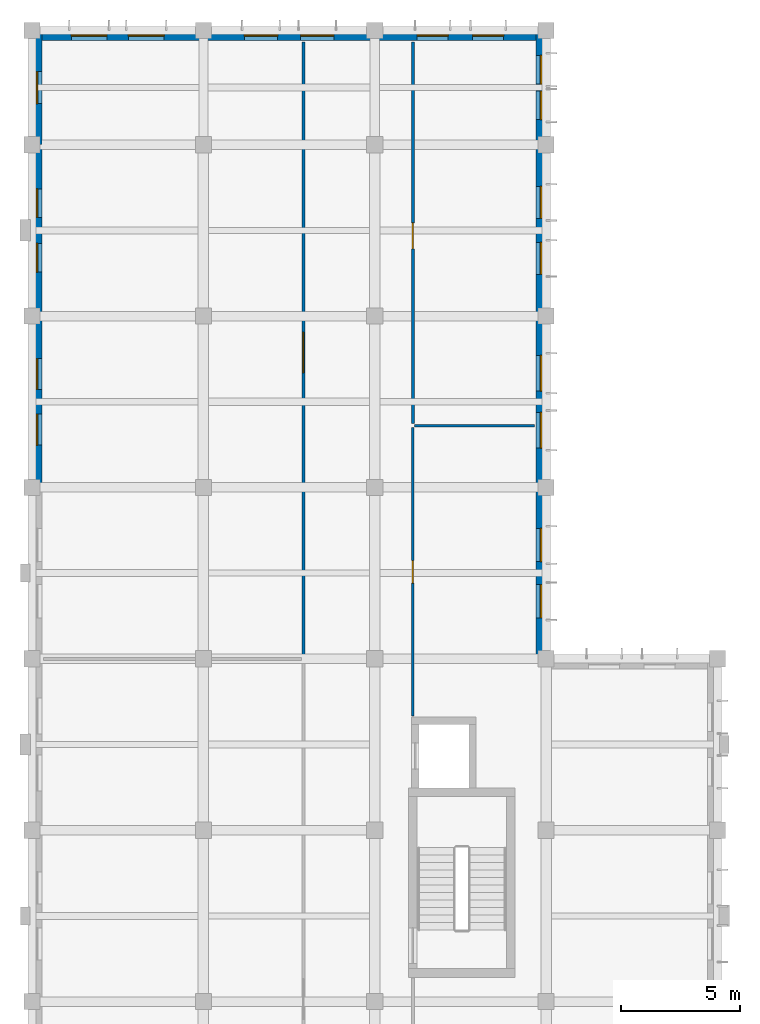
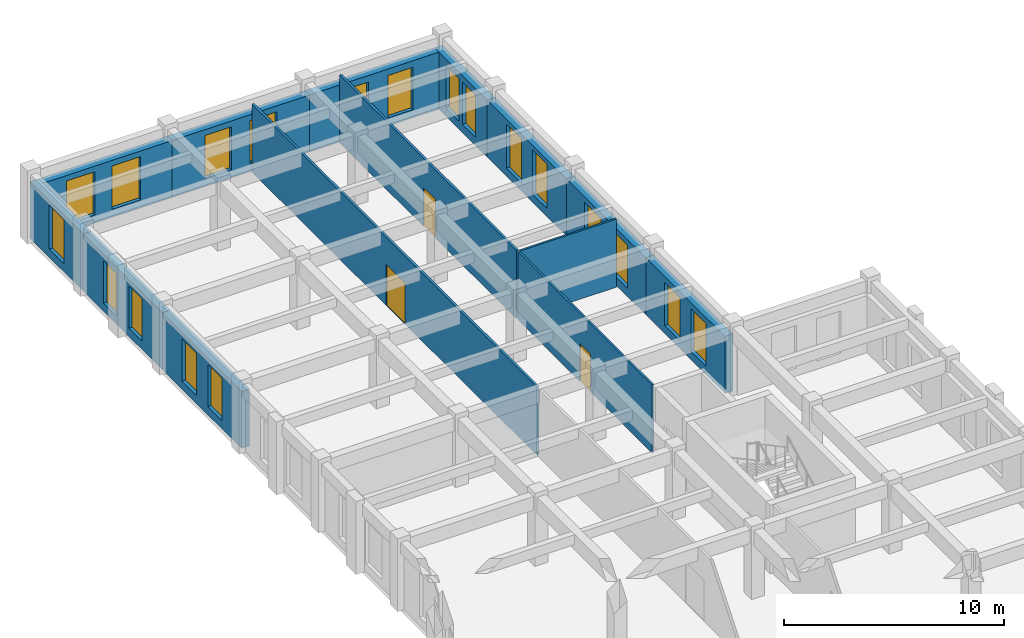
# One storey, part 47 of 88: 19 windows, 14 walls, 3 doors, 22 openings.
"""IFC4 building model written with IfcOpenShell, lengths in metres."""

from ifc_helpers import new_model, si_unit, direction, frame, frame_2d, origin, place, context, subcontext, project, spatial, rectangle, extrude, material, layer, layer_set, type_object, element, fill, save


model = new_model("IFC4")

# Units and contexts
model_context = context("Model", 3, precision=1e-05, world=origin(), true_north=direction((0.0, 1.0)))
body_context = subcontext(model_context, "Body", "Model", "MODEL_VIEW")
ifc_project = project(units=[si_unit("LENGTHUNIT", "METRE"), si_unit("AREAUNIT", "SQUARE_METRE"), si_unit("VOLUMEUNIT", "CUBIC_METRE"), si_unit("PLANEANGLEUNIT", "RADIAN"), si_unit("MASSUNIT", "GRAM", prefix="KILO")], contexts=[model_context])

# Site, building, storey
site_placement = place(None, origin())
site = spatial("IfcSite", under=ifc_project, at=site_placement, CompositionType="ELEMENT")
building_placement = place(site_placement, origin())
building = spatial("IfcBuilding", under=site, at=building_placement, Name="Alvorim Cloister Faculty of Sciences", CompositionType="ELEMENT")
storey_placement = place(building_placement, frame((0.0, 0.0, 4.5)))
storey = spatial("IfcBuildingStorey", under=building, at=storey_placement, Name="L01", CompositionType="ELEMENT", Elevation=4.5)

# Wall, openings, windows
ifc_material_1 = material(Name="Maua Grey Granite Stone", Category="masonry")
ifc_layer_1 = layer(ifc_material_1, 0.419921875)
ifc_layer_set_1 = layer_set([ifc_layer_1], Name="Maua Grey Granite Stone")
wall_type_1 = type_object("IfcWallType", Name="WL-EXT-GRN-420", PredefinedType="SOLIDWALL", material=ifc_layer_set_1)
wall_1_placement = place(storey_placement, frame((0.2099609375, 92.39990234375, 0.0), z_axis=(0.0, 0.0, 1.0), x_axis=(0.0, 1.0, 0.0)))
wall_1 = element("IfcWall", 1, at=wall_1_placement, inside=storey, type_object=wall_type_1, Name="L01 Exterior Wall WL-0112", PredefinedType="SOLIDWALL", context=body_context, shape_type="SweptSolid", body=[
    extrude(rectangle(XDim=7.2001953125, YDim=0.419921875, at=frame_2d((3.60009765625, 0.0))), origin(), (0.0, 0.0, 1.0), 3.159912109375),
])
opening_1_placement = place(wall_1_placement, frame((1.783203125, 0.0, 0.449951171875)))
opening_1 = element("IfcOpeningElement", 2, at=opening_1_placement, cuts=wall_1, Name="Opening W-21", PredefinedType="OPENING", context=body_context, shape_type="SweptSolid", body=[
    extrude(rectangle(XDim=1.300048828125, YDim=2.35009765625, at=frame_2d((0.64990234375, 1.175048828125))), frame((0.0, 0.221923828125, 0.0), z_axis=(0.0, -1.0, 0.0), x_axis=(1.0, 0.0, 0.0)), (0.0, 0.0, 1.0), 0.44384765625),
])
opening_2_placement = place(wall_1_placement, frame((4.11669921875, 0.0, 0.449951171875)))
opening_2 = element("IfcOpeningElement", 3, at=opening_2_placement, cuts=wall_1, Name="Opening W-21", PredefinedType="OPENING", context=body_context, shape_type="SweptSolid", body=[
    extrude(rectangle(XDim=1.300048828125, YDim=2.35009765625, at=frame_2d((0.64990234375, 1.175048828125))), frame((0.0, 0.221923828125, 0.0), z_axis=(0.0, -1.0, 0.0), x_axis=(1.0, 0.0, 0.0)), (0.0, 0.0, 1.0), 0.44384765625),
])
ifc_material_2 = material(Name="Double Low-E Laminated Glass", Category="glass")
window_type_1 = type_object("IfcWindowType", Name="WN-OFF-1300x2350", PartitioningType="SINGLE_PANEL", PredefinedType="WINDOW", material=ifc_material_2)
window_1_placement = place(opening_1_placement, origin())
window_1 = element("IfcWindow", 4, at=window_1_placement, inside=storey, type_object=window_type_1, Name="L01 Gothic Lancet Window WN-0140", OverallHeight=2.35009765625, OverallWidth=1.300048828125, PartitioningType="SINGLE_PANEL", PredefinedType="WINDOW", context=body_context, shape_type="SweptSolid", body=[
    extrude(rectangle(XDim=1.300048828125, YDim=2.35009765625, at=frame_2d((0.64990234375, 1.175048828125))), frame((0.0, 0.030029296875, 0.0), z_axis=(0.0, -1.0, 0.0), x_axis=(1.0, 0.0, 0.0)), (0.0, 0.0, 1.0), 0.06005859375),
])
fill(opening_1, window_1)
window_2_placement = place(opening_2_placement, origin())
window_2 = element("IfcWindow", 5, at=window_2_placement, inside=storey, type_object=window_type_1, Name="L01 Gothic Lancet Window WN-0141", OverallHeight=2.35009765625, OverallWidth=1.300048828125, PartitioningType="SINGLE_PANEL", PredefinedType="WINDOW", context=body_context, shape_type="SweptSolid", body=[
    extrude(rectangle(XDim=1.300048828125, YDim=2.35009765625, at=frame_2d((0.64990234375, 1.175048828125))), frame((0.0, 0.030029296875, 0.0), z_axis=(0.0, -1.0, 0.0), x_axis=(1.0, 0.0, 0.0)), (0.0, 0.0, 1.0), 0.06005859375),
])
fill(opening_2, window_2)

wall_2_placement = place(storey_placement, frame((0.2099609375, 99.60009765625, 0.0), z_axis=(0.0, 0.0, 1.0), x_axis=(0.0, 1.0, 0.0)))
wall_2 = element("IfcWall", 6, at=wall_2_placement, inside=storey, type_object=wall_type_1, Name="L01 Exterior Wall WL-0113", PredefinedType="SOLIDWALL", context=body_context, shape_type="SweptSolid", body=[
    extrude(rectangle(XDim=7.199951171875, YDim=0.419921875, at=frame_2d((3.60009765625, 0.0))), origin(), (0.0, 0.0, 1.0), 3.159912109375),
])
opening_3_placement = place(wall_2_placement, frame((1.85009765625, 0.0, 0.449951171875)))
opening_3 = element("IfcOpeningElement", 7, at=opening_3_placement, cuts=wall_2, Name="Opening W-22", PredefinedType="OPENING", context=body_context, shape_type="SweptSolid", body=[
    extrude(rectangle(XDim=1.199951171875, YDim=2.35009765625, at=frame_2d((0.60009765625, 1.175048828125))), frame((0.0, 0.221923828125, 0.0), z_axis=(0.0, -1.0, 0.0), x_axis=(1.0, 0.0, 0.0)), (0.0, 0.0, 1.0), 0.44384765625),
])
opening_4_placement = place(wall_2_placement, frame((4.14990234375, 0.0, 0.449951171875)))
opening_4 = element("IfcOpeningElement", 8, at=opening_4_placement, cuts=wall_2, Name="Opening W-22", PredefinedType="OPENING", context=body_context, shape_type="SweptSolid", body=[
    extrude(rectangle(XDim=1.199951171875, YDim=2.35009765625, at=frame_2d((0.60009765625, 1.175048828125))), frame((0.0, 0.221923828125, 0.0), z_axis=(0.0, -1.0, 0.0), x_axis=(1.0, 0.0, 0.0)), (0.0, 0.0, 1.0), 0.44384765625),
])
window_type_2 = type_object("IfcWindowType", Name="WN-OFF-1200x2350", PartitioningType="SINGLE_PANEL", PredefinedType="WINDOW", material=ifc_material_2)
window_3_placement = place(opening_3_placement, origin())
window_3 = element("IfcWindow", 9, at=window_3_placement, inside=storey, type_object=window_type_2, Name="L01 Gothic Lancet Window WN-0142", OverallHeight=2.35009765625, OverallWidth=1.199951171875, PartitioningType="SINGLE_PANEL", PredefinedType="WINDOW", context=body_context, shape_type="SweptSolid", body=[
    extrude(rectangle(XDim=1.199951171875, YDim=2.35009765625, at=frame_2d((0.60009765625, 1.175048828125))), frame((0.0, 0.030029296875, 0.0), z_axis=(0.0, -1.0, 0.0), x_axis=(1.0, 0.0, 0.0)), (0.0, 0.0, 1.0), 0.06005859375),
])
fill(opening_3, window_3)
window_4_placement = place(opening_4_placement, origin())
window_4 = element("IfcWindow", 10, at=window_4_placement, inside=storey, type_object=window_type_2, Name="L01 Gothic Lancet Window WN-0143", OverallHeight=2.35009765625, OverallWidth=1.199951171875, PartitioningType="SINGLE_PANEL", PredefinedType="WINDOW", context=body_context, shape_type="SweptSolid", body=[
    extrude(rectangle(XDim=1.199951171875, YDim=2.35009765625, at=frame_2d((0.60009765625, 1.175048828125))), frame((0.0, 0.030029296875, 0.0), z_axis=(0.0, -1.0, 0.0), x_axis=(1.0, 0.0, 0.0)), (0.0, 0.0, 1.0), 0.06005859375),
])
fill(opening_4, window_4)

# Wall, opening, window
wall_3_placement = place(storey_placement, frame((0.2099609375, 106.800048828125, 0.0), z_axis=(0.0, 0.0, 1.0), x_axis=(0.0, 1.0, 0.0)))
wall_3 = element("IfcWall", 11, at=wall_3_placement, inside=storey, type_object=wall_type_1, Name="L01 Exterior Wall WL-0114", PredefinedType="SOLIDWALL", context=body_context, shape_type="SweptSolid", body=[
    extrude(rectangle(XDim=4.800048828125, YDim=0.419921875, at=frame_2d((2.39990234375, 0.0))), origin(), (0.0, 0.0, 1.0), 3.159912109375),
])
opening_5_placement = place(wall_3_placement, frame((1.72509765625, 0.0, 0.449951171875)))
opening_5 = element("IfcOpeningElement", 12, at=opening_5_placement, cuts=wall_3, Name="Opening W-18", PredefinedType="OPENING", context=body_context, shape_type="SweptSolid", body=[
    extrude(rectangle(XDim=1.35009765625, YDim=2.449951171875, at=frame_2d((0.675048828125, 1.22509765625))), frame((0.0, 0.221923828125, 0.0), z_axis=(0.0, -1.0, 0.0), x_axis=(1.0, 0.0, 0.0)), (0.0, 0.0, 1.0), 0.44384765625),
])
window_type_3 = type_object("IfcWindowType", Name="WN-LAB-1350x2450", PartitioningType="SINGLE_PANEL", PredefinedType="WINDOW", material=ifc_material_2)
window_5_placement = place(opening_5_placement, origin())
window_5 = element("IfcWindow", 13, at=window_5_placement, inside=storey, type_object=window_type_3, Name="L01 Gothic Lancet Window WN-0144", OverallHeight=2.449951171875, OverallWidth=1.35009765625, PartitioningType="SINGLE_PANEL", PredefinedType="WINDOW", context=body_context, shape_type="SweptSolid", body=[
    extrude(rectangle(XDim=1.35009765625, YDim=2.449951171875, at=frame_2d((0.675048828125, 1.22509765625))), frame((0.0, 0.030029296875, 0.0), z_axis=(0.0, -1.0, 0.0), x_axis=(1.0, 0.0, 0.0)), (0.0, 0.0, 1.0), 0.06005859375),
])
fill(opening_5, window_5)

# Wall, openings, windows
wall_4_placement = place(storey_placement, frame((0.0, 111.389892578125, 0.0), z_axis=(0.0, 0.0, 1.0), x_axis=(1.0, 0.0, 0.0)))
wall_4 = element("IfcWall", 14, at=wall_4_placement, inside=storey, type_object=wall_type_1, Name="L01 Exterior Wall WL-0115", PredefinedType="SOLIDWALL", context=body_context, shape_type="SweptSolid", body=[
    extrude(rectangle(XDim=7.199951171875, YDim=0.419921875, at=frame_2d((3.60009765625, 0.0))), origin(), (0.0, 0.0, 1.0), 3.159912109375),
])
opening_6_placement = place(wall_4_placement, frame((1.64990234375, 0.0, 0.449951171875)))
opening_6 = element("IfcOpeningElement", 15, at=opening_6_placement, cuts=wall_4, Name="Opening W-19", PredefinedType="OPENING", context=body_context, shape_type="SweptSolid", body=[
    extrude(rectangle(XDim=1.5, YDim=2.39990234375, at=frame_2d((0.75, 1.199951171875))), frame((0.0, 0.221923828125, 0.0), z_axis=(0.0, -1.0, 0.0), x_axis=(1.0, 0.0, 0.0)), (0.0, 0.0, 1.0), 0.44384765625),
])
opening_7_placement = place(wall_4_placement, frame((4.050048828125, 0.0, 0.449951171875)))
opening_7 = element("IfcOpeningElement", 16, at=opening_7_placement, cuts=wall_4, Name="Opening W-19", PredefinedType="OPENING", context=body_context, shape_type="SweptSolid", body=[
    extrude(rectangle(XDim=1.5, YDim=2.39990234375, at=frame_2d((0.75, 1.199951171875))), frame((0.0, 0.221923828125, 0.0), z_axis=(0.0, -1.0, 0.0), x_axis=(1.0, 0.0, 0.0)), (0.0, 0.0, 1.0), 0.44384765625),
])
window_type_4 = type_object("IfcWindowType", Name="WN-OFF-1500x2400", PartitioningType="SINGLE_PANEL", PredefinedType="WINDOW", material=ifc_material_2)
window_6_placement = place(opening_6_placement, origin())
window_6 = element("IfcWindow", 17, at=window_6_placement, inside=storey, type_object=window_type_4, Name="L01 Gothic Lancet Window WN-0145", OverallHeight=2.39990234375, OverallWidth=1.5, PartitioningType="SINGLE_PANEL", PredefinedType="WINDOW", context=body_context, shape_type="SweptSolid", body=[
    extrude(rectangle(XDim=1.5, YDim=2.39990234375, at=frame_2d((0.75, 1.199951171875))), frame((0.0, 0.030029296875, 0.0), z_axis=(0.0, -1.0, 0.0), x_axis=(1.0, 0.0, 0.0)), (0.0, 0.0, 1.0), 0.06005859375),
])
fill(opening_6, window_6)
window_7_placement = place(opening_7_placement, origin())
window_7 = element("IfcWindow", 18, at=window_7_placement, inside=storey, type_object=window_type_4, Name="L01 Gothic Lancet Window WN-0146", OverallHeight=2.39990234375, OverallWidth=1.5, PartitioningType="SINGLE_PANEL", PredefinedType="WINDOW", context=body_context, shape_type="SweptSolid", body=[
    extrude(rectangle(XDim=1.5, YDim=2.39990234375, at=frame_2d((0.75, 1.199951171875))), frame((0.0, 0.030029296875, 0.0), z_axis=(0.0, -1.0, 0.0), x_axis=(1.0, 0.0, 0.0)), (0.0, 0.0, 1.0), 0.06005859375),
])
fill(opening_7, window_7)

wall_5_placement = place(storey_placement, frame((7.199951171875, 111.389892578125, 0.0), z_axis=(0.0, 0.0, 1.0), x_axis=(1.0, 0.0, 0.0)))
wall_5 = element("IfcWall", 19, at=wall_5_placement, inside=storey, type_object=wall_type_1, Name="L01 Exterior Wall WL-0116", PredefinedType="SOLIDWALL", context=body_context, shape_type="SweptSolid", body=[
    extrude(rectangle(XDim=7.199951171875, YDim=0.419921875, at=frame_2d((3.60009765625, 0.0))), origin(), (0.0, 0.0, 1.0), 3.159912109375),
])
opening_8_placement = place(wall_5_placement, frame((1.716796875, 0.0, 0.449951171875)))
opening_8 = element("IfcOpeningElement", 20, at=opening_8_placement, cuts=wall_5, Name="Opening W-20", PredefinedType="OPENING", context=body_context, shape_type="SweptSolid", body=[
    extrude(rectangle(XDim=1.39990234375, YDim=2.3798828125, at=frame_2d((0.699951171875, 1.18994140625))), frame((0.0, 0.221923828125, 0.0), z_axis=(0.0, -1.0, 0.0), x_axis=(1.0, 0.0, 0.0)), (0.0, 0.0, 1.0), 0.44384765625),
])
opening_9_placement = place(wall_5_placement, frame((4.083251953125, 0.0, 0.449951171875)))
opening_9 = element("IfcOpeningElement", 21, at=opening_9_placement, cuts=wall_5, Name="Opening W-20", PredefinedType="OPENING", context=body_context, shape_type="SweptSolid", body=[
    extrude(rectangle(XDim=1.39990234375, YDim=2.3798828125, at=frame_2d((0.699951171875, 1.18994140625))), frame((0.0, 0.221923828125, 0.0), z_axis=(0.0, -1.0, 0.0), x_axis=(1.0, 0.0, 0.0)), (0.0, 0.0, 1.0), 0.44384765625),
])
window_type_5 = type_object("IfcWindowType", Name="WN-OFF-1400x2380", PartitioningType="SINGLE_PANEL", PredefinedType="WINDOW", material=ifc_material_2)
window_8_placement = place(opening_8_placement, origin())
window_8 = element("IfcWindow", 22, at=window_8_placement, inside=storey, type_object=window_type_5, Name="L01 Gothic Lancet Window WN-0147", OverallHeight=2.3798828125, OverallWidth=1.39990234375, PartitioningType="SINGLE_PANEL", PredefinedType="WINDOW", context=body_context, shape_type="SweptSolid", body=[
    extrude(rectangle(XDim=1.39990234375, YDim=2.3798828125, at=frame_2d((0.699951171875, 1.18994140625))), frame((0.0, 0.030029296875, 0.0), z_axis=(0.0, -1.0, 0.0), x_axis=(1.0, 0.0, 0.0)), (0.0, 0.0, 1.0), 0.06005859375),
])
fill(opening_8, window_8)
window_9_placement = place(opening_9_placement, origin())
window_9 = element("IfcWindow", 23, at=window_9_placement, inside=storey, type_object=window_type_5, Name="L01 Gothic Lancet Window WN-0148", OverallHeight=2.3798828125, OverallWidth=1.39990234375, PartitioningType="SINGLE_PANEL", PredefinedType="WINDOW", context=body_context, shape_type="SweptSolid", body=[
    extrude(rectangle(XDim=1.39990234375, YDim=2.3798828125, at=frame_2d((0.699951171875, 1.18994140625))), frame((0.0, 0.030029296875, 0.0), z_axis=(0.0, -1.0, 0.0), x_axis=(1.0, 0.0, 0.0)), (0.0, 0.0, 1.0), 0.06005859375),
])
fill(opening_9, window_9)

wall_6_placement = place(storey_placement, frame((14.39990234375, 111.389892578125, 0.0), z_axis=(0.0, 0.0, 1.0), x_axis=(1.0, 0.0, 0.0)))
wall_6 = element("IfcWall", 24, at=wall_6_placement, inside=storey, type_object=wall_type_1, Name="L01 Exterior Wall WL-0117", PredefinedType="SOLIDWALL", context=body_context, shape_type="SweptSolid", body=[
    extrude(rectangle(XDim=7.2001953125, YDim=0.419921875, at=frame_2d((3.60009765625, 0.0))), origin(), (0.0, 0.0, 1.0), 3.159912109375),
])
opening_10_placement = place(wall_6_placement, frame((1.783203125, 0.0, 0.449951171875)))
opening_10 = element("IfcOpeningElement", 25, at=opening_10_placement, cuts=wall_6, Name="Opening W-21", PredefinedType="OPENING", context=body_context, shape_type="SweptSolid", body=[
    extrude(rectangle(XDim=1.300048828125, YDim=2.35009765625, at=frame_2d((0.64990234375, 1.175048828125))), frame((0.0, 0.221923828125, 0.0), z_axis=(0.0, -1.0, 0.0), x_axis=(1.0, 0.0, 0.0)), (0.0, 0.0, 1.0), 0.44384765625),
])
opening_11_placement = place(wall_6_placement, frame((4.11669921875, 0.0, 0.449951171875)))
opening_11 = element("IfcOpeningElement", 26, at=opening_11_placement, cuts=wall_6, Name="Opening W-21", PredefinedType="OPENING", context=body_context, shape_type="SweptSolid", body=[
    extrude(rectangle(XDim=1.300048828125, YDim=2.35009765625, at=frame_2d((0.64990234375, 1.175048828125))), frame((0.0, 0.221923828125, 0.0), z_axis=(0.0, -1.0, 0.0), x_axis=(1.0, 0.0, 0.0)), (0.0, 0.0, 1.0), 0.44384765625),
])
window_10_placement = place(opening_10_placement, origin())
window_10 = element("IfcWindow", 27, at=window_10_placement, inside=storey, type_object=window_type_1, Name="L01 Gothic Lancet Window WN-0149", OverallHeight=2.35009765625, OverallWidth=1.300048828125, PartitioningType="SINGLE_PANEL", PredefinedType="WINDOW", context=body_context, shape_type="SweptSolid", body=[
    extrude(rectangle(XDim=1.300048828125, YDim=2.35009765625, at=frame_2d((0.64990234375, 1.175048828125))), frame((0.0, 0.030029296875, 0.0), z_axis=(0.0, -1.0, 0.0), x_axis=(1.0, 0.0, 0.0)), (0.0, 0.0, 1.0), 0.06005859375),
])
fill(opening_10, window_10)
window_11_placement = place(opening_11_placement, origin())
window_11 = element("IfcWindow", 28, at=window_11_placement, inside=storey, type_object=window_type_1, Name="L01 Gothic Lancet Window WN-0150", OverallHeight=2.35009765625, OverallWidth=1.300048828125, PartitioningType="SINGLE_PANEL", PredefinedType="WINDOW", context=body_context, shape_type="SweptSolid", body=[
    extrude(rectangle(XDim=1.300048828125, YDim=2.35009765625, at=frame_2d((0.64990234375, 1.175048828125))), frame((0.0, 0.030029296875, 0.0), z_axis=(0.0, -1.0, 0.0), x_axis=(1.0, 0.0, 0.0)), (0.0, 0.0, 1.0), 0.06005859375),
])
fill(opening_11, window_11)

wall_7_placement = place(storey_placement, frame((21.389892578125, 106.800048828125, 0.0), z_axis=(0.0, 0.0, 1.0), x_axis=(0.0, 1.0, 0.0)))
wall_7 = element("IfcWall", 29, at=wall_7_placement, inside=storey, type_object=wall_type_1, Name="L01 Exterior Wall WL-0118", PredefinedType="SOLIDWALL", context=body_context, shape_type="SweptSolid", body=[
    extrude(rectangle(XDim=4.800048828125, YDim=0.419921875, at=frame_2d((2.39990234375, 0.0))), origin(), (0.0, 0.0, 1.0), 3.159912109375),
])
opening_12_placement = place(wall_7_placement, frame((1.050048828125, 0.0, 0.449951171875)))
opening_12 = element("IfcOpeningElement", 30, at=opening_12_placement, cuts=wall_7, Name="Opening W-22", PredefinedType="OPENING", context=body_context, shape_type="SweptSolid", body=[
    extrude(rectangle(XDim=1.199951171875, YDim=2.35009765625, at=frame_2d((0.60009765625, 1.175048828125))), frame((0.0, 0.221923828125, 0.0), z_axis=(0.0, -1.0, 0.0), x_axis=(1.0, 0.0, 0.0)), (0.0, 0.0, 1.0), 0.44384765625),
])
opening_13_placement = place(wall_7_placement, frame((2.550048828125, 0.0, 0.449951171875)))
opening_13 = element("IfcOpeningElement", 31, at=opening_13_placement, cuts=wall_7, Name="Opening W-22", PredefinedType="OPENING", context=body_context, shape_type="SweptSolid", body=[
    extrude(rectangle(XDim=1.199951171875, YDim=2.35009765625, at=frame_2d((0.60009765625, 1.175048828125))), frame((0.0, 0.221923828125, 0.0), z_axis=(0.0, -1.0, 0.0), x_axis=(1.0, 0.0, 0.0)), (0.0, 0.0, 1.0), 0.44384765625),
])
window_12_placement = place(opening_12_placement, origin())
window_12 = element("IfcWindow", 32, at=window_12_placement, inside=storey, type_object=window_type_2, Name="L01 Gothic Lancet Window WN-0151", OverallHeight=2.35009765625, OverallWidth=1.199951171875, PartitioningType="SINGLE_PANEL", PredefinedType="WINDOW", context=body_context, shape_type="SweptSolid", body=[
    extrude(rectangle(XDim=1.199951171875, YDim=2.35009765625, at=frame_2d((0.60009765625, 1.175048828125))), frame((0.0, 0.030029296875, 0.0), z_axis=(0.0, -1.0, 0.0), x_axis=(1.0, 0.0, 0.0)), (0.0, 0.0, 1.0), 0.06005859375),
])
fill(opening_12, window_12)
window_13_placement = place(opening_13_placement, origin())
window_13 = element("IfcWindow", 33, at=window_13_placement, inside=storey, type_object=window_type_2, Name="L01 Gothic Lancet Window WN-0152", OverallHeight=2.35009765625, OverallWidth=1.199951171875, PartitioningType="SINGLE_PANEL", PredefinedType="WINDOW", context=body_context, shape_type="SweptSolid", body=[
    extrude(rectangle(XDim=1.199951171875, YDim=2.35009765625, at=frame_2d((0.60009765625, 1.175048828125))), frame((0.0, 0.030029296875, 0.0), z_axis=(0.0, -1.0, 0.0), x_axis=(1.0, 0.0, 0.0)), (0.0, 0.0, 1.0), 0.06005859375),
])
fill(opening_13, window_13)

wall_8_placement = place(storey_placement, frame((21.389892578125, 99.60009765625, 0.0), z_axis=(0.0, 0.0, 1.0), x_axis=(0.0, 1.0, 0.0)))
wall_8 = element("IfcWall", 34, at=wall_8_placement, inside=storey, type_object=wall_type_1, Name="L01 Exterior Wall WL-0119", PredefinedType="SOLIDWALL", context=body_context, shape_type="SweptSolid", body=[
    extrude(rectangle(XDim=7.199951171875, YDim=0.419921875, at=frame_2d((3.60009765625, 0.0))), origin(), (0.0, 0.0, 1.0), 3.159912109375),
])
opening_14_placement = place(wall_8_placement, frame((1.75, 0.0, 0.449951171875)))
opening_14 = element("IfcOpeningElement", 35, at=opening_14_placement, cuts=wall_8, Name="Opening W-18", PredefinedType="OPENING", context=body_context, shape_type="SweptSolid", body=[
    extrude(rectangle(XDim=1.35009765625, YDim=2.449951171875, at=frame_2d((0.675048828125, 1.22509765625))), frame((0.0, 0.221923828125, 0.0), z_axis=(0.0, -1.0, 0.0), x_axis=(1.0, 0.0, 0.0)), (0.0, 0.0, 1.0), 0.44384765625),
])
opening_15_placement = place(wall_8_placement, frame((4.10009765625, 0.0, 0.449951171875)))
opening_15 = element("IfcOpeningElement", 36, at=opening_15_placement, cuts=wall_8, Name="Opening W-18", PredefinedType="OPENING", context=body_context, shape_type="SweptSolid", body=[
    extrude(rectangle(XDim=1.35009765625, YDim=2.449951171875, at=frame_2d((0.675048828125, 1.22509765625))), frame((0.0, 0.221923828125, 0.0), z_axis=(0.0, -1.0, 0.0), x_axis=(1.0, 0.0, 0.0)), (0.0, 0.0, 1.0), 0.44384765625),
])
window_14_placement = place(opening_14_placement, origin())
window_14 = element("IfcWindow", 37, at=window_14_placement, inside=storey, type_object=window_type_3, Name="L01 Gothic Lancet Window WN-0153", OverallHeight=2.449951171875, OverallWidth=1.35009765625, PartitioningType="SINGLE_PANEL", PredefinedType="WINDOW", context=body_context, shape_type="SweptSolid", body=[
    extrude(rectangle(XDim=1.35009765625, YDim=2.449951171875, at=frame_2d((0.675048828125, 1.22509765625))), frame((0.0, 0.030029296875, 0.0), z_axis=(0.0, -1.0, 0.0), x_axis=(1.0, 0.0, 0.0)), (0.0, 0.0, 1.0), 0.06005859375),
])
fill(opening_14, window_14)
window_15_placement = place(opening_15_placement, origin())
window_15 = element("IfcWindow", 38, at=window_15_placement, inside=storey, type_object=window_type_3, Name="L01 Gothic Lancet Window WN-0154", OverallHeight=2.449951171875, OverallWidth=1.35009765625, PartitioningType="SINGLE_PANEL", PredefinedType="WINDOW", context=body_context, shape_type="SweptSolid", body=[
    extrude(rectangle(XDim=1.35009765625, YDim=2.449951171875, at=frame_2d((0.675048828125, 1.22509765625))), frame((0.0, 0.030029296875, 0.0), z_axis=(0.0, -1.0, 0.0), x_axis=(1.0, 0.0, 0.0)), (0.0, 0.0, 1.0), 0.06005859375),
])
fill(opening_15, window_15)

wall_9_placement = place(storey_placement, frame((21.389892578125, 92.39990234375, 0.0), z_axis=(0.0, 0.0, 1.0), x_axis=(0.0, 1.0, 0.0)))
wall_9 = element("IfcWall", 39, at=wall_9_placement, inside=storey, type_object=wall_type_1, Name="L01 Exterior Wall WL-0120", PredefinedType="SOLIDWALL", context=body_context, shape_type="SweptSolid", body=[
    extrude(rectangle(XDim=7.2001953125, YDim=0.419921875, at=frame_2d((3.60009765625, 0.0))), origin(), (0.0, 0.0, 1.0), 3.159912109375),
])
opening_16_placement = place(wall_9_placement, frame((1.64990234375, 0.0, 0.449951171875)))
opening_16 = element("IfcOpeningElement", 40, at=opening_16_placement, cuts=wall_9, Name="Opening W-19", PredefinedType="OPENING", context=body_context, shape_type="SweptSolid", body=[
    extrude(rectangle(XDim=1.5, YDim=2.39990234375, at=frame_2d((0.75, 1.199951171875))), frame((0.0, 0.221923828125, 0.0), z_axis=(0.0, -1.0, 0.0), x_axis=(1.0, 0.0, 0.0)), (0.0, 0.0, 1.0), 0.44384765625),
])
opening_17_placement = place(wall_9_placement, frame((4.050048828125, 0.0, 0.449951171875)))
opening_17 = element("IfcOpeningElement", 41, at=opening_17_placement, cuts=wall_9, Name="Opening W-19", PredefinedType="OPENING", context=body_context, shape_type="SweptSolid", body=[
    extrude(rectangle(XDim=1.5, YDim=2.39990234375, at=frame_2d((0.75, 1.199951171875))), frame((0.0, 0.221923828125, 0.0), z_axis=(0.0, -1.0, 0.0), x_axis=(1.0, 0.0, 0.0)), (0.0, 0.0, 1.0), 0.44384765625),
])
window_16_placement = place(opening_16_placement, origin())
window_16 = element("IfcWindow", 42, at=window_16_placement, inside=storey, type_object=window_type_4, Name="L01 Gothic Lancet Window WN-0155", OverallHeight=2.39990234375, OverallWidth=1.5, PartitioningType="SINGLE_PANEL", PredefinedType="WINDOW", context=body_context, shape_type="SweptSolid", body=[
    extrude(rectangle(XDim=1.5, YDim=2.39990234375, at=frame_2d((0.75, 1.199951171875))), frame((0.0, 0.030029296875, 0.0), z_axis=(0.0, -1.0, 0.0), x_axis=(1.0, 0.0, 0.0)), (0.0, 0.0, 1.0), 0.06005859375),
])
fill(opening_16, window_16)
window_17_placement = place(opening_17_placement, origin())
window_17 = element("IfcWindow", 43, at=window_17_placement, inside=storey, type_object=window_type_4, Name="L01 Gothic Lancet Window WN-0156", OverallHeight=2.39990234375, OverallWidth=1.5, PartitioningType="SINGLE_PANEL", PredefinedType="WINDOW", context=body_context, shape_type="SweptSolid", body=[
    extrude(rectangle(XDim=1.5, YDim=2.39990234375, at=frame_2d((0.75, 1.199951171875))), frame((0.0, 0.030029296875, 0.0), z_axis=(0.0, -1.0, 0.0), x_axis=(1.0, 0.0, 0.0)), (0.0, 0.0, 1.0), 0.06005859375),
])
fill(opening_17, window_17)

wall_10_placement = place(storey_placement, frame((21.389892578125, 85.199951171875, 0.0), z_axis=(0.0, 0.0, 1.0), x_axis=(0.0, 1.0, 0.0)))
wall_10 = element("IfcWall", 44, at=wall_10_placement, inside=storey, type_object=wall_type_1, Name="L01 Exterior Wall WL-0121", PredefinedType="SOLIDWALL", context=body_context, shape_type="SweptSolid", body=[
    extrude(rectangle(XDim=7.199951171875, YDim=0.419921875, at=frame_2d((3.60009765625, 0.0))), origin(), (0.0, 0.0, 1.0), 3.159912109375),
])
opening_18_placement = place(wall_10_placement, frame((1.716796875, 0.0, 0.449951171875)))
opening_18 = element("IfcOpeningElement", 45, at=opening_18_placement, cuts=wall_10, Name="Opening W-20", PredefinedType="OPENING", context=body_context, shape_type="SweptSolid", body=[
    extrude(rectangle(XDim=1.39990234375, YDim=2.3798828125, at=frame_2d((0.699951171875, 1.18994140625))), frame((0.0, 0.221923828125, 0.0), z_axis=(0.0, -1.0, 0.0), x_axis=(1.0, 0.0, 0.0)), (0.0, 0.0, 1.0), 0.44384765625),
])
opening_19_placement = place(wall_10_placement, frame((4.083251953125, 0.0, 0.449951171875)))
opening_19 = element("IfcOpeningElement", 46, at=opening_19_placement, cuts=wall_10, Name="Opening W-20", PredefinedType="OPENING", context=body_context, shape_type="SweptSolid", body=[
    extrude(rectangle(XDim=1.39990234375, YDim=2.3798828125, at=frame_2d((0.699951171875, 1.18994140625))), frame((0.0, 0.221923828125, 0.0), z_axis=(0.0, -1.0, 0.0), x_axis=(1.0, 0.0, 0.0)), (0.0, 0.0, 1.0), 0.44384765625),
])
window_18_placement = place(opening_18_placement, origin())
window_18 = element("IfcWindow", 47, at=window_18_placement, inside=storey, type_object=window_type_5, Name="L01 Gothic Lancet Window WN-0157", OverallHeight=2.3798828125, OverallWidth=1.39990234375, PartitioningType="SINGLE_PANEL", PredefinedType="WINDOW", context=body_context, shape_type="SweptSolid", body=[
    extrude(rectangle(XDim=1.39990234375, YDim=2.3798828125, at=frame_2d((0.699951171875, 1.18994140625))), frame((0.0, 0.030029296875, 0.0), z_axis=(0.0, -1.0, 0.0), x_axis=(1.0, 0.0, 0.0)), (0.0, 0.0, 1.0), 0.06005859375),
])
fill(opening_18, window_18)
window_19_placement = place(opening_19_placement, origin())
window_19 = element("IfcWindow", 48, at=window_19_placement, inside=storey, type_object=window_type_5, Name="L01 Gothic Lancet Window WN-0158", OverallHeight=2.3798828125, OverallWidth=1.39990234375, PartitioningType="SINGLE_PANEL", PredefinedType="WINDOW", context=body_context, shape_type="SweptSolid", body=[
    extrude(rectangle(XDim=1.39990234375, YDim=2.3798828125, at=frame_2d((0.699951171875, 1.18994140625))), frame((0.0, 0.030029296875, 0.0), z_axis=(0.0, -1.0, 0.0), x_axis=(1.0, 0.0, 0.0)), (0.0, 0.0, 1.0), 0.06005859375),
])
fill(opening_19, window_19)

# Wall, opening, door
ifc_material_3 = material(Name="Moisture-Resistant Tile Stud Partition", Category="gypsum")
ifc_layer_2 = layer(ifc_material_3, 0.10009765625)
ifc_layer_set_2 = layer_set([ifc_layer_2], Name="Moisture-Resistant Tile Stud Partition")
wall_type_2 = type_object("IfcWallType", Name="WL-PRT-100", PredefinedType="PARTITIONING", material=ifc_layer_set_2)
wall_11_placement = place(storey_placement, frame((16.0, 82.7900390625, 0.0), z_axis=(0.0, 0.0, 1.0), x_axis=(0.0, 1.0, 0.0)))
wall_11 = element("IfcWall", 49, at=wall_11_placement, inside=storey, type_object=wall_type_2, Name="L01 L01 Commons Accessible WCs Partition IWL-0526", PredefinedType="PARTITIONING", context=body_context, shape_type="SweptSolid", body=[
    extrude(rectangle(XDim=12.1298828125, YDim=0.10009765625, at=frame_2d((6.06494140625, 0.0))), origin(), (0.0, 0.0, 1.0), 3.77490234375),
])
opening_20_placement = place(wall_11_placement, frame((5.590087890625, 0.0, 0.0)))
opening_20 = element("IfcOpeningElement", 50, at=opening_20_placement, cuts=wall_11, Name="Opening D-L01-114", PredefinedType="OPENING", context=body_context, shape_type="SweptSolid", body=[
    extrude(rectangle(XDim=0.949951171875, YDim=2.10009765625, at=frame_2d((0.47509765625, 1.050048828125))), frame((0.0, 0.06201171875, 0.0), z_axis=(0.0, -1.0, 0.0), x_axis=(1.0, 0.0, 0.0)), (0.0, 0.0, 1.0), 0.1240234375),
])
ifc_material_4 = material(Name="Moisture-Resistant Laminate Timber", Category="wood")
door_type_1 = type_object("IfcDoorType", Name="DR-WC-950x2100", OperationType="NOTDEFINED", PredefinedType="DOOR", material=ifc_material_4)
door_1_placement = place(opening_20_placement, origin())
door_1 = element("IfcDoor", 51, at=door_1_placement, inside=storey, type_object=door_type_1, Name="L01 Commons Accessible WCs Door D-L01-114", OperationType="SINGLE_SWING_RIGHT", OverallHeight=2.10009765625, OverallWidth=0.949951171875, PredefinedType="DOOR", context=body_context, shape_type="SweptSolid", body=[
    extrude(rectangle(XDim=0.949951171875, YDim=2.10009765625, at=frame_2d((0.47509765625, 1.050048828125))), frame((0.0, 0.02490234375, 0.0), z_axis=(0.0, -1.0, 0.0), x_axis=(1.0, 0.0, 0.0)), (0.0, 0.0, 1.0), 0.050048828125),
])
fill(opening_20, door_1)

# Wall
wall_12_placement = place(storey_placement, frame((16.080078125, 95.0, 0.0), z_axis=(0.0, 0.0, 1.0), x_axis=(1.0, 0.0, 0.0)))
element("IfcWall", 52, at=wall_12_placement, inside=storey, type_object=wall_type_2, Name="L01 L01 Commons Accessible WCs Partition IWL-0527", PredefinedType="PARTITIONING", context=body_context, shape_type="SweptSolid", body=[
    extrude(rectangle(XDim=5.0400390625, YDim=0.10009765625, at=frame_2d((2.52001953125, 0.0))), origin(), (0.0, 0.0, 1.0), 3.77490234375),
])

# Wall, opening, door
ifc_material_5 = material(Name="Acoustic Gypsum Stud Partition", Category="gypsum")
ifc_layer_3 = layer(ifc_material_5, 0.1201171875)
ifc_layer_set_3 = layer_set([ifc_layer_3], Name="Acoustic Gypsum Stud Partition")
wall_type_3 = type_object("IfcWallType", Name="WL-PRT-120", PredefinedType="PARTITIONING", material=ifc_layer_set_3)
wall_13_placement = place(storey_placement, frame((11.39990234375, 85.280029296875, 0.0), z_axis=(0.0, 0.0, 1.0), x_axis=(0.0, 1.0, 0.0)))
wall_13 = element("IfcWall", 53, at=wall_13_placement, inside=storey, type_object=wall_type_3, Name="L01 Silent Carrel Study Hall Partition IWL-0523", PredefinedType="PARTITIONING", context=body_context, shape_type="SweptSolid", body=[
    extrude(rectangle(XDim=25.840087890625, YDim=0.1201171875, at=frame_2d((12.919921875, 0.0))), origin(), (0.0, 0.0, 1.0), 3.77490234375),
])
opening_21_placement = place(wall_13_placement, frame((11.93994140625, 0.0, 0.0)))
opening_21 = element("IfcOpeningElement", 54, at=opening_21_placement, cuts=wall_13, Name="Opening D-L01-112", PredefinedType="OPENING", context=body_context, shape_type="SweptSolid", body=[
    extrude(rectangle(XDim=1.699951171875, YDim=2.280029296875, at=frame_2d((0.85009765625, 1.14013671875))), frame((0.0, 0.072021484375, 0.0), z_axis=(0.0, -1.0, 0.0), x_axis=(1.0, 0.0, 0.0)), (0.0, 0.0, 1.0), 0.14404296875),
])
ifc_material_6 = material(Name="Solid Acoustic Oak Timber", Category="wood")
door_type_2 = type_object("IfcDoorType", Name="DR-HALL-1700x2280", OperationType="NOTDEFINED", PredefinedType="DOOR", material=ifc_material_6)
door_2_placement = place(opening_21_placement, origin())
door_2 = element("IfcDoor", 55, at=door_2_placement, inside=storey, type_object=door_type_2, Name="Silent Carrel Study Hall Door D-L01-112", OperationType="DOUBLE_DOOR_SINGLE_SWING", OverallHeight=2.280029296875, OverallWidth=1.699951171875, PredefinedType="DOOR", context=body_context, shape_type="SweptSolid", body=[
    extrude(rectangle(XDim=1.699951171875, YDim=2.280029296875, at=frame_2d((0.85009765625, 1.14013671875))), frame((0.0, 0.02490234375, 0.0), z_axis=(0.0, -1.0, 0.0), x_axis=(1.0, 0.0, 0.0)), (0.0, 0.0, 1.0), 0.050048828125),
])
fill(opening_21, door_2)

wall_14_placement = place(storey_placement, frame((16.0, 95.080078125, 0.0), z_axis=(0.0, 0.0, 1.0), x_axis=(0.0, 1.0, 0.0)))
wall_14 = element("IfcWall", 56, at=wall_14_placement, inside=storey, type_object=wall_type_3, Name="L01 Subject Librarians Suite Partition IWL-0528", PredefinedType="PARTITIONING", context=body_context, shape_type="SweptSolid", body=[
    extrude(rectangle(XDim=16.0400390625, YDim=0.1201171875, at=frame_2d((8.02001953125, 0.0))), origin(), (0.0, 0.0, 1.0), 3.77490234375),
])
opening_22_placement = place(wall_14_placement, frame((7.340087890625, 0.0, 0.0)))
opening_22 = element("IfcOpeningElement", 57, at=opening_22_placement, cuts=wall_14, Name="Opening D-L01-115", PredefinedType="OPENING", context=body_context, shape_type="SweptSolid", body=[
    extrude(rectangle(XDim=1.10009765625, YDim=2.14990234375, at=frame_2d((0.550048828125, 1.074951171875))), frame((0.0, 0.072021484375, 0.0), z_axis=(0.0, -1.0, 0.0), x_axis=(1.0, 0.0, 0.0)), (0.0, 0.0, 1.0), 0.14404296875),
])
door_type_3 = type_object("IfcDoorType", Name="DR-OFF-1100x2150", OperationType="NOTDEFINED", PredefinedType="DOOR", material=ifc_material_6)
door_3_placement = place(opening_22_placement, origin())
door_3 = element("IfcDoor", 58, at=door_3_placement, inside=storey, type_object=door_type_3, Name="Subject Librarians Suite Door D-L01-115", OperationType="SINGLE_SWING_LEFT", OverallHeight=2.14990234375, OverallWidth=1.10009765625, PredefinedType="DOOR", context=body_context, shape_type="SweptSolid", body=[
    extrude(rectangle(XDim=1.10009765625, YDim=2.14990234375, at=frame_2d((0.550048828125, 1.074951171875))), frame((0.0, 0.02490234375, 0.0), z_axis=(0.0, -1.0, 0.0), x_axis=(1.0, 0.0, 0.0)), (0.0, 0.0, 1.0), 0.050048828125),
])
fill(opening_22, door_3)

save(model, "model.ifc")
